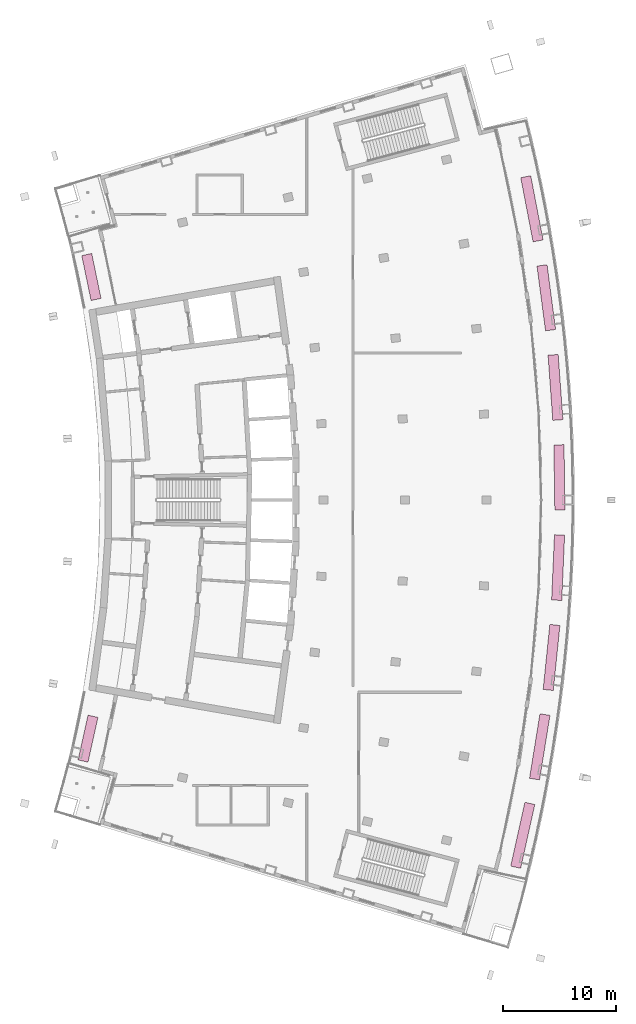
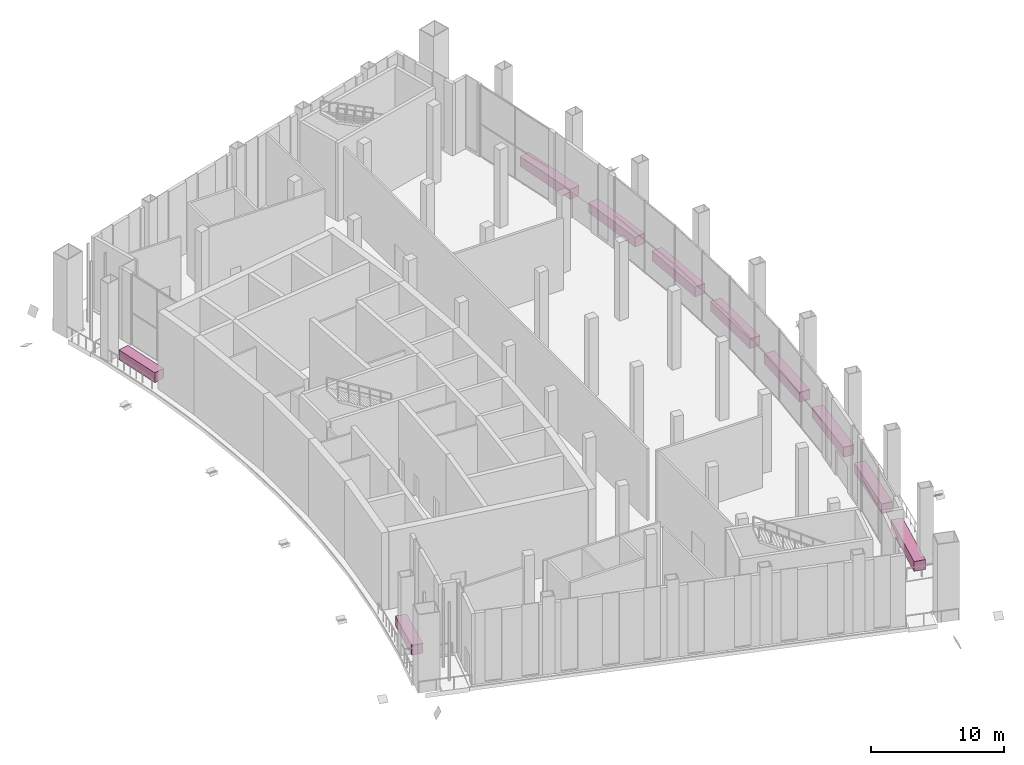
# One storey, part 24 of 24: 10 furnishings.
"""IFC4 building model written with IfcOpenShell, lengths in metres."""

from ifc_helpers import new_model, si_unit, direction, frame, origin, origin_2d, place, context, subcontext, project, spatial, rectangle, extrude, material, type_object, element, save


model = new_model("IFC4")

# Units and contexts
model_context = context("Model", 3, precision=1e-05, world=origin(), true_north=direction((0.0, 1.0)))
body_context = subcontext(model_context, "Body", "Model", "MODEL_VIEW")
ifc_project = project(units=[si_unit("LENGTHUNIT", "METRE"), si_unit("AREAUNIT", "SQUARE_METRE"), si_unit("VOLUMEUNIT", "CUBIC_METRE"), si_unit("PLANEANGLEUNIT", "RADIAN"), si_unit("MASSUNIT", "GRAM", prefix="KILO")], contexts=[model_context])

# Site, building, storey
site_placement = place(None, origin())
site = spatial("IfcSite", under=ifc_project, at=site_placement, CompositionType="ELEMENT")
building_placement = place(site_placement, origin())
building = spatial("IfcBuilding", under=site, at=building_placement, Name="Alderwake Tower", CompositionType="ELEMENT")
storey_placement = place(building_placement, frame((0.0, 0.0, 232.39990234375)))
storey = spatial("IfcBuildingStorey", under=building, at=storey_placement, Name="L58", CompositionType="ELEMENT", Elevation=232.39990234375)

# Furnishings
ifc_material = material(Name="Precast concrete C40/50 planter with soil", Category="concrete")
furnishing_element_type = type_object("IfcFurnishingElementType", Name="Planter box 900", material=ifc_material)
for number, where, z_axis, x_axis, name in (
    (1, (53.410400390625, 31.341796875, 0.06005859375), (0.0, 0.0, 1.0), (0.97616929119, -0.217010402833, 0.0), "Planter"),
    (2, (54.91259765625, 39.170166015625, 0.06005859375), (0.0, 0.0, 1.0), (0.987160809417, -0.15972957256, 0.0), "Planter"),
    (3, (55.955810546875, 47.07275390625, 0.06005859375), (0.0, 0.0, 1.0), (0.994794098387, -0.101905357138, 0.0), "Planter"),
    (4, (56.53662109375, 55.022705078125, 0.06005859375), (0.0, 0.0, 1.0), (0.999043114028, -0.043736212829, 0.0), "Planter"),
    (5, (56.65283203125, 62.992919921875, 0.06005859375), (0.0, 0.0, 1.0), (0.999893655776, 0.014583454252, 0.0), "Planter"),
    (6, (56.30419921875, 70.95654296875, 0.06005859375), (0.0, 0.0, 1.0), (0.99734277946, 0.072851769087, 0.0), "Planter"),
    (7, (55.49169921875, 78.885986328125, 0.06005859375), (0.0, 0.0, 1.0), (0.991399010319, 0.130873994122, 0.0), "Planter"),
    (8, (54.218505859375, 86.7548828125, 0.06005859375), (0.0, 0.0, 1.0), (0.982082922864, 0.188449283945, 0.0), "Planter"),
):
    element("IfcFurnishingElement", number, at=place(storey_placement, frame(where, z_axis=z_axis, x_axis=x_axis)), inside=storey, type_object=furnishing_element_type, Name=name, ObjectType="PLANTER", context=body_context, shape_type="SweptSolid", body=[
        extrude(rectangle(XDim=0.89990234375, YDim=5.780029296875, at=origin_2d()), origin(), (0.0, 0.0, 1.0), 0.89990234375),
    ])
for number, where, z_axis, x_axis, name in (
    (9, (14.95849609375, 39.889892578125, 0.06005859375), (0.0, 0.0, 1.0), (0.97616929119, -0.217010402833, 0.0), "Planter"),
    (10, (15.25634765625, 80.722900390625, 0.06005859375), (0.0, 0.0, 1.0), (0.979230242507, 0.20275140483, 0.0), "Planter"),
):
    element("IfcFurnishingElement", number, at=place(storey_placement, frame(where, z_axis=z_axis, x_axis=x_axis)), inside=storey, type_object=furnishing_element_type, Name=name, ObjectType="PLANTER", context=body_context, shape_type="SweptSolid", body=[
        extrude(rectangle(XDim=0.89990234375, YDim=4.056396484375, at=origin_2d()), origin(), (0.0, 0.0, 1.0), 0.89990234375),
    ])

save(model, "model.ifc")
